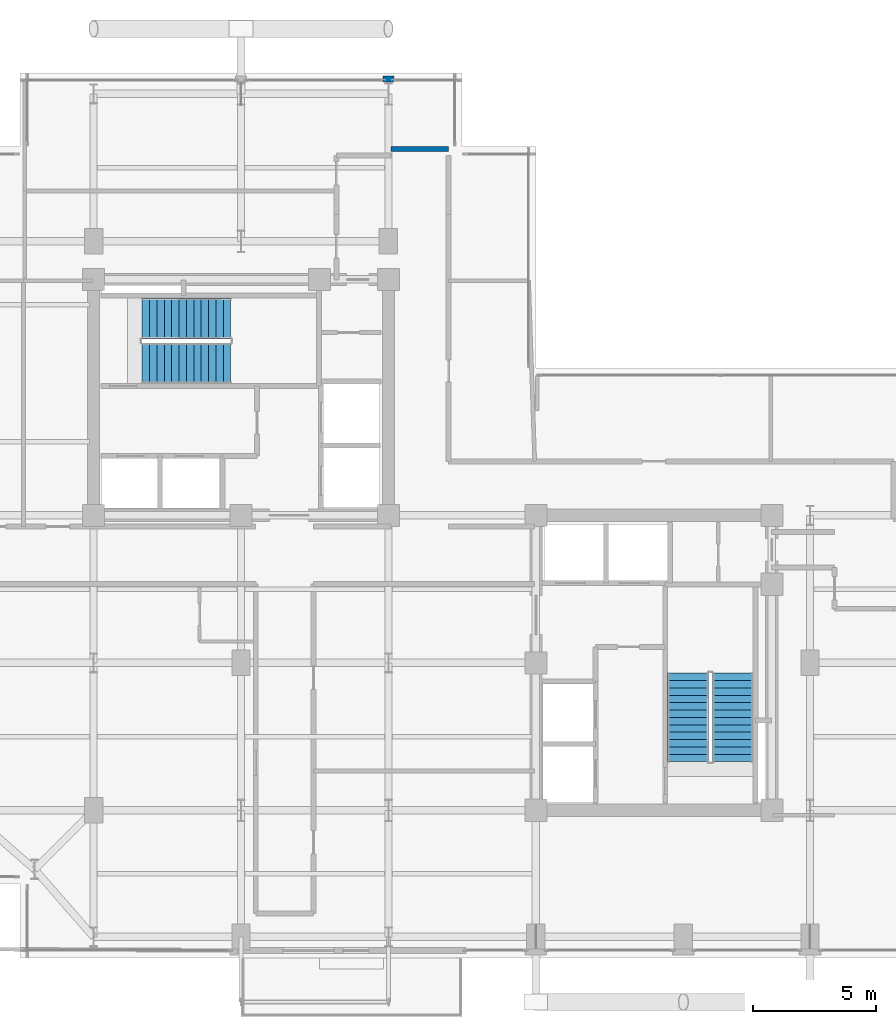
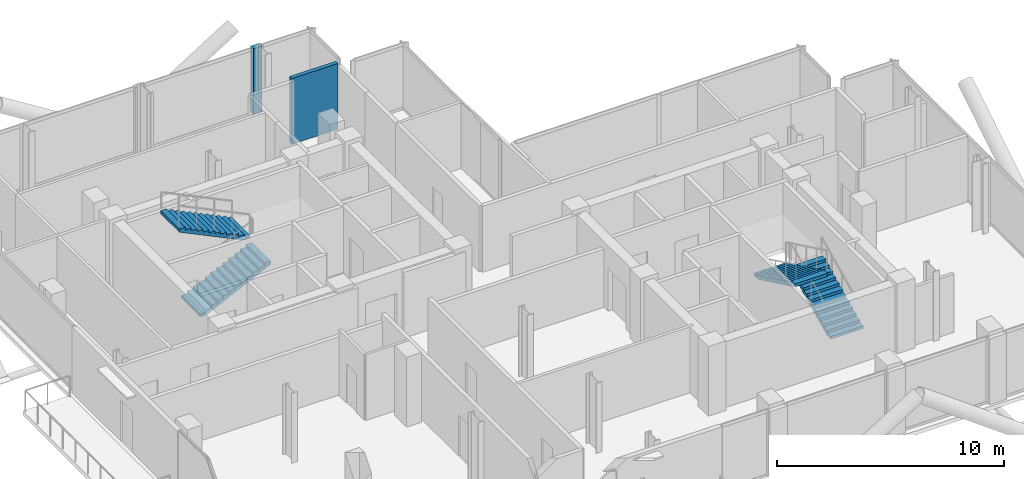
# One storey, part 19 of 21: 4 stair flights, 2 walls, 2 elements without a shape of their own.
"""IFC4 building model written with IfcOpenShell, lengths in metres."""

from ifc_helpers import new_model, si_unit, direction, frame, frame_2d, origin, place, context, subcontext, project, spatial, polyline, rectangle, outline, extrude, material, layer, layer_set, type_object, element, aggregate, save


model = new_model("IFC4")

# Units and contexts
model_context = context("Model", 3, precision=1e-05, world=origin(), true_north=direction((0.0, 1.0)))
body_context = subcontext(model_context, "Body", "Model", "MODEL_VIEW")
ifc_project = project(units=[si_unit("LENGTHUNIT", "METRE"), si_unit("AREAUNIT", "SQUARE_METRE"), si_unit("VOLUMEUNIT", "CUBIC_METRE"), si_unit("PLANEANGLEUNIT", "RADIAN"), si_unit("MASSUNIT", "GRAM", prefix="KILO"), si_unit("THERMODYNAMICTEMPERATUREUNIT", "KELVIN"), si_unit("POWERUNIT", "WATT")], contexts=[model_context])

# Site, building, storey
site_placement = place(None, origin())
site = spatial("IfcSite", under=ifc_project, at=site_placement, CompositionType="ELEMENT")
building_placement = place(site_placement, origin())
building = spatial("IfcBuilding", under=site, at=building_placement, Name="Svarakhadi Broadcast Tower", CompositionType="ELEMENT")
storey_placement = place(building_placement, frame((0.0, 0.0, 223.64990234375)))
storey = spatial("IfcBuildingStorey", under=building, at=storey_placement, Name="L55", CompositionType="ELEMENT", Elevation=223.64990234375)

# Walls
ifc_material = material(Name="Concrete C40/50 (IS 456 M50)", Category="concrete")
ifc_layer_1 = layer(ifc_material, 0.239990234375)
ifc_layer_set_1 = layer_set([ifc_layer_1], Name="Concrete C40/50 (IS 456 M50)")
wall_type_1 = type_object("IfcWallType", Name="Wall_Ext_240", PredefinedType="SOLIDWALL", material=ifc_layer_set_1)
wall_1_placement = place(storey_placement, frame((17.784912109375, 35.760009765625, 0.0), z_axis=(0.0, 0.0, 1.0), x_axis=(1.0, 0.0, 0.0)))
element("IfcWall", 1, at=wall_1_placement, inside=storey, type_object=wall_type_1, Name="L55 Perimeter Bronze Spandrel Closure Wall 02", PredefinedType="SOLIDWALL", context=body_context, shape_type="SweptSolid", body=[
    extrude(rectangle(XDim=0.43017578125, YDim=0.239990234375, at=frame_2d((0.215087890625, 0.0))), origin(), (0.0, 0.0, 1.0), 3.5400390625),
])
ifc_layer_2 = layer(ifc_material, 0.199951171875)
ifc_layer_set_2 = layer_set([ifc_layer_2], Name="Concrete C40/50 (IS 456 M50)")
wall_type_2 = type_object("IfcWallType", Name="Wall_Fire_200", PredefinedType="SOLIDWALL", material=ifc_layer_set_2)
wall_2_placement = place(storey_placement, frame((18.10009765625, 32.89990234375, 0.0), z_axis=(0.0, 0.0, 1.0), x_axis=(1.0, 0.0, 0.0)))
element("IfcWall", 2, at=wall_2_placement, inside=storey, type_object=wall_type_2, Name="L55 Upper Tower Concourse Wall", PredefinedType="SOLIDWALL", context=body_context, shape_type="SweptSolid", body=[
    extrude(rectangle(XDim=2.349853515625, YDim=0.199951171875, at=frame_2d((1.1748046875, 0.0))), origin(), (0.0, 0.0, 1.0), 3.5400390625),
])

# Stair, stair flights
stair_type = type_object("IfcStairType", Name="Stair_Exit_Core", PredefinedType="HALF_TURN_STAIR", material=ifc_material)
stair_1_placement = place(storey_placement, origin())
stair_1 = element("IfcStair", 3, at=stair_1_placement, inside=storey, type_object=stair_type, Name="L55 West Core Protected Exit Stair ST-01", PredefinedType="HALF_TURN_STAIR")
stair_flight_type = type_object("IfcStairFlightType", Name="Flight_RC_1680", PredefinedType="STRAIGHT", material=ifc_material)
stair_flight_1_placement = place(storey_placement, frame((7.97998046875, 24.18994140625, 0.0), z_axis=(0.0, 0.0, 1.0), x_axis=(1.0, 0.0, 0.0)))
stair_flight_1 = element("IfcStairFlight", 4, at=stair_flight_1_placement, type_object=stair_flight_type, Name="ST-01 flight 1", NumberOfRisers=13, NumberOfTreads=12, PredefinedType="STRAIGHT", RiserHeight=0.144230769, TreadLength=0.3, context=body_context, shape_type="SweptSolid", body=[
    extrude(outline(polyline([(0.0, 0.0), (0.0, 0.144287109375), (0.300048828125, 0.144287109375), (0.300048828125, 0.28857421875), (0.60009765625, 0.28857421875), (0.60009765625, 0.4326171875), (0.89990234375, 0.4326171875), (0.89990234375, 0.576904296875), (1.199951171875, 0.576904296875), (1.199951171875, 0.72119140625), (1.5, 0.72119140625), (1.5, 0.865478515625), (1.800048828125, 0.865478515625), (1.800048828125, 1.009521484375), (2.10009765625, 1.009521484375), (2.10009765625, 1.15380859375), (2.39990234375, 1.15380859375), (2.39990234375, 1.298095703125), (2.699951171875, 1.298095703125), (2.699951171875, 1.4423828125), (3.0, 1.4423828125), (3.0, 1.58642578125), (3.300048828125, 1.58642578125), (3.300048828125, 1.730712890625), (3.60009765625, 1.730712890625), (3.60009765625, 1.875), (3.60009765625, 1.564453125), (0.345947265625, 0.0), (0.0, 0.0)])), frame((0.0, 0.830078125, 0.0), z_axis=(0.0, -1.0, 0.0), x_axis=(1.0, 0.0, 0.0)), (0.0, 0.0, 1.0), 1.659912109375),
])
stair_flight_2_placement = place(storey_placement, frame((11.580078125, 26.010009765625, 1.875), z_axis=(0.0, 0.0, 1.0), x_axis=(-1.0, 0.0, 0.0)))
stair_flight_2 = element("IfcStairFlight", 5, at=stair_flight_2_placement, type_object=stair_flight_type, Name="ST-01 flight 2", NumberOfRisers=13, NumberOfTreads=12, PredefinedType="STRAIGHT", RiserHeight=0.144230769, TreadLength=0.3, context=body_context, shape_type="SweptSolid", body=[
    extrude(outline(polyline([(0.0, 0.0), (0.0, 0.144287109375), (0.300048828125, 0.144287109375), (0.300048828125, 0.28857421875), (0.60009765625, 0.28857421875), (0.60009765625, 0.4326171875), (0.89990234375, 0.4326171875), (0.89990234375, 0.576904296875), (1.199951171875, 0.576904296875), (1.199951171875, 0.72119140625), (1.5, 0.72119140625), (1.5, 0.865478515625), (1.800048828125, 0.865478515625), (1.800048828125, 1.009521484375), (2.10009765625, 1.009521484375), (2.10009765625, 1.15380859375), (2.39990234375, 1.15380859375), (2.39990234375, 1.298095703125), (2.699951171875, 1.298095703125), (2.699951171875, 1.4423828125), (3.0, 1.4423828125), (3.0, 1.58642578125), (3.300048828125, 1.58642578125), (3.300048828125, 1.730712890625), (3.60009765625, 1.730712890625), (3.60009765625, 1.875), (3.60009765625, 1.564453125), (0.345947265625, 0.0), (0.0, 0.0)])), frame((0.0, 0.830078125, 0.0), z_axis=(0.0, -1.0, 0.0), x_axis=(1.0, 0.0, 0.0)), (0.0, 0.0, 1.0), 1.659912109375),
])
aggregate(stair_1, [stair_flight_1, stair_flight_2])

stair_2_placement = place(storey_placement, origin())
stair_2 = element("IfcStair", 6, at=stair_2_placement, inside=storey, type_object=stair_type, Name="L55 East Core Protected Exit Stair ST-02", PredefinedType="HALF_TURN_STAIR")
stair_flight_3_placement = place(storey_placement, frame((32.010009765625, 7.97998046875, 0.0), z_axis=(0.0, 0.0, 1.0), x_axis=(0.0, 1.0, 0.0)))
stair_flight_3 = element("IfcStairFlight", 7, at=stair_flight_3_placement, type_object=stair_flight_type, Name="ST-02 flight 1", NumberOfRisers=13, NumberOfTreads=12, PredefinedType="STRAIGHT", RiserHeight=0.144230769, TreadLength=0.3, context=body_context, shape_type="SweptSolid", body=[
    extrude(outline(polyline([(0.0, 0.0), (0.0, 0.144287109375), (0.300048828125, 0.144287109375), (0.300048828125, 0.28857421875), (0.60009765625, 0.28857421875), (0.60009765625, 0.4326171875), (0.89990234375, 0.4326171875), (0.89990234375, 0.576904296875), (1.199951171875, 0.576904296875), (1.199951171875, 0.72119140625), (1.5, 0.72119140625), (1.5, 0.865478515625), (1.800048828125, 0.865478515625), (1.800048828125, 1.009521484375), (2.10009765625, 1.009521484375), (2.10009765625, 1.15380859375), (2.39990234375, 1.15380859375), (2.39990234375, 1.298095703125), (2.699951171875, 1.298095703125), (2.699951171875, 1.4423828125), (3.0, 1.4423828125), (3.0, 1.58642578125), (3.300048828125, 1.58642578125), (3.300048828125, 1.730712890625), (3.60009765625, 1.730712890625), (3.60009765625, 1.875), (3.60009765625, 1.564453125), (0.345947265625, 0.0), (0.0, 0.0)])), frame((0.0, 0.830078125, 0.0), z_axis=(0.0, -1.0, 0.0), x_axis=(1.0, 0.0, 0.0)), (0.0, 0.0, 1.0), 1.659912109375),
])
stair_flight_4_placement = place(storey_placement, frame((30.18994140625, 11.580078125, 1.875), z_axis=(0.0, 0.0, 1.0), x_axis=(0.0, -1.0, 0.0)))
stair_flight_4 = element("IfcStairFlight", 8, at=stair_flight_4_placement, type_object=stair_flight_type, Name="ST-02 flight 2", NumberOfRisers=13, NumberOfTreads=12, PredefinedType="STRAIGHT", RiserHeight=0.144230769, TreadLength=0.3, context=body_context, shape_type="SweptSolid", body=[
    extrude(outline(polyline([(0.0, 0.0), (0.0, 0.144287109375), (0.300048828125, 0.144287109375), (0.300048828125, 0.28857421875), (0.60009765625, 0.28857421875), (0.60009765625, 0.4326171875), (0.89990234375, 0.4326171875), (0.89990234375, 0.576904296875), (1.199951171875, 0.576904296875), (1.199951171875, 0.72119140625), (1.5, 0.72119140625), (1.5, 0.865478515625), (1.800048828125, 0.865478515625), (1.800048828125, 1.009521484375), (2.10009765625, 1.009521484375), (2.10009765625, 1.15380859375), (2.39990234375, 1.15380859375), (2.39990234375, 1.298095703125), (2.699951171875, 1.298095703125), (2.699951171875, 1.4423828125), (3.0, 1.4423828125), (3.0, 1.58642578125), (3.300048828125, 1.58642578125), (3.300048828125, 1.730712890625), (3.60009765625, 1.730712890625), (3.60009765625, 1.875), (3.60009765625, 1.564453125), (0.345947265625, 0.0), (0.0, 0.0)])), frame((0.0, 0.830078125, 0.0), z_axis=(0.0, -1.0, 0.0), x_axis=(1.0, 0.0, 0.0)), (0.0, 0.0, 1.0), 1.659912109375),
])
aggregate(stair_2, [stair_flight_3, stair_flight_4])

save(model, "model.ifc")
